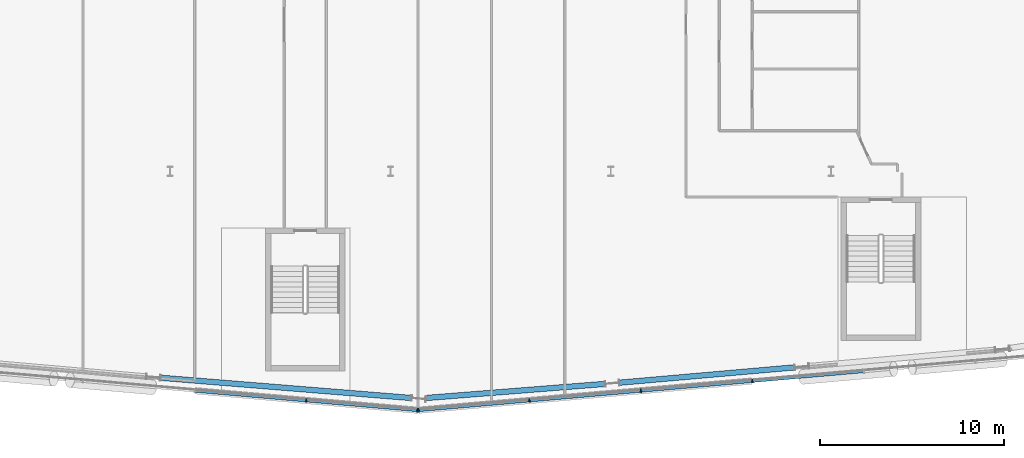
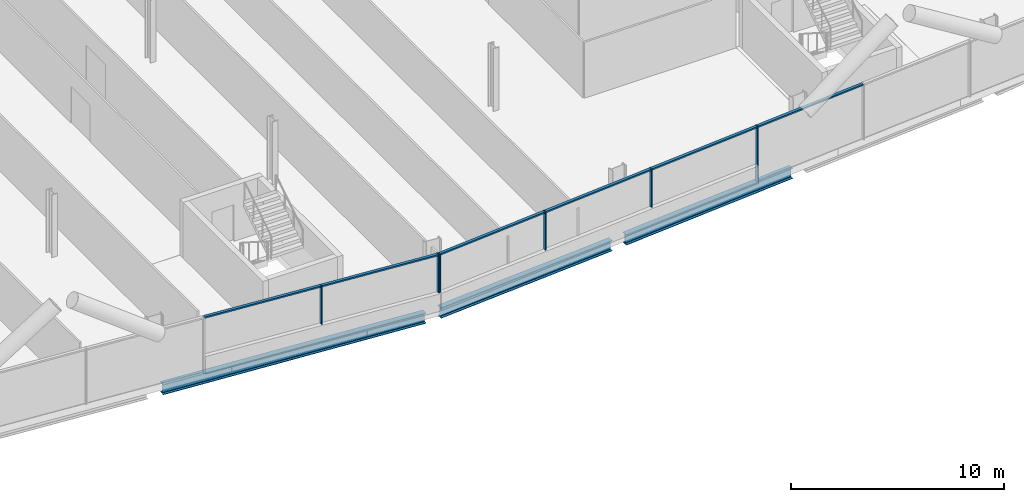
# One storey, part 7 of 25: 12 members, 3 beams, 2 elements without a shape of their own.
"""IFC4 building model written with IfcOpenShell, lengths in metres."""

from ifc_helpers import new_model, si_unit, direction, frame, origin, origin_2d, place, context, subcontext, project, spatial, rectangle, i_section, extrude, material, material_profile, profile_set, type_object, element, aggregate, save


model = new_model("IFC4")

# Units and contexts
model_context = context("Model", 3, precision=1e-05, world=origin(), true_north=direction((0.0, 1.0)))
body_context = subcontext(model_context, "Body", "Model", "MODEL_VIEW")
ifc_project = project(units=[si_unit("LENGTHUNIT", "METRE"), si_unit("AREAUNIT", "SQUARE_METRE"), si_unit("VOLUMEUNIT", "CUBIC_METRE"), si_unit("PLANEANGLEUNIT", "RADIAN"), si_unit("MASSUNIT", "GRAM", prefix="KILO")], contexts=[model_context])

# Site, building, storey
site_placement = place(None, origin())
site = spatial("IfcSite", under=ifc_project, at=site_placement, CompositionType="ELEMENT")
building_placement = place(site_placement, origin())
building = spatial("IfcBuilding", under=site, at=building_placement, Name="Wharfspan Tower", CompositionType="ELEMENT")
storey_placement = place(building_placement, frame((0.0, 0.0, 121.899902)))
storey = spatial("IfcBuildingStorey", under=building, at=storey_placement, Name="L28", CompositionType="ELEMENT", Elevation=121.899902)

# Beams
ifc_material_1 = material(Name="Steel S355J2", Category="steel")
ifc_material_profile_1 = material_profile(ifc_material_1, i_section(OverallWidth=0.300049, OverallDepth=0.600098, WebThickness=0.015381, FlangeThickness=0.030029, FilletRadius=0.0271, at=origin_2d()))
ifc_profile_set_1 = profile_set([ifc_material_profile_1], Name="Steel S355J2")
beam_type = type_object("IfcBeamType", Name="Edge beam HEB 600", PredefinedType="SPANDREL", material=ifc_profile_set_1)
beam_1_placement = place(storey_placement, frame((35.490967, 0.252197, -0.699951), z_axis=(0.996756, -0.080488, 0.0), x_axis=(0.080488, 0.996756, 0.0)))
element("IfcBeam", 1, at=beam_1_placement, inside=storey, type_object=beam_type, Name="Edge beam S1 L28 PS1.3 to PS1.4", PredefinedType="SPANDREL", context=body_context, shape_type="SweptSolid", body=[
    extrude(i_section(OverallWidth=0.300049, OverallDepth=0.600098, WebThickness=0.015381, FlangeThickness=0.030029, FilletRadius=0.0271, at=origin_2d()), origin(), (0.0, 0.0, 1.0), 13.683105),
])
beam_2_placement = place(storey_placement, frame((49.938721, -0.849365, -0.699951), z_axis=(0.996913, 0.078508, 0.0), x_axis=(-0.078508, 0.996913, 0.0)))
element("IfcBeam", 2, at=beam_2_placement, inside=storey, type_object=beam_type, Name="Edge beam S2 L28 PS1.4 to PS2.1", PredefinedType="SPANDREL", context=body_context, shape_type="SweptSolid", body=[
    extrude(i_section(OverallWidth=0.300049, OverallDepth=0.600098, WebThickness=0.015381, FlangeThickness=0.030029, FilletRadius=0.0271, at=origin_2d()), origin(), (0.0, 0.0, 1.0), 9.767578),
])
beam_3_placement = place(storey_placement, frame((60.479492, -0.015625, -0.699951), z_axis=(0.996194, 0.087164, 0.0), x_axis=(-0.087164, 0.996194, 0.0)))
element("IfcBeam", 3, at=beam_3_placement, inside=storey, type_object=beam_type, Name="Edge beam S2 L28 PS2.1 to PS2.2", PredefinedType="SPANDREL", context=body_context, shape_type="SweptSolid", body=[
    extrude(i_section(OverallWidth=0.300049, OverallDepth=0.600098, WebThickness=0.015381, FlangeThickness=0.030029, FilletRadius=0.0271, at=origin_2d()), origin(), (0.0, 0.0, 1.0), 9.55957),
])

# Curtain wall, members
ifc_material_2 = material(Name="Aluminium 6063-T6", Category="aluminium")
curtain_wall_type = type_object("IfcCurtainWallType", Name="CURTAIN WALL FACETED FRONT", PredefinedType="NOTDEFINED", material=ifc_material_2)
curtain_wall_1_placement = place(storey_placement, origin())
curtain_wall_1 = element("IfcCurtainWall", 4, at=curtain_wall_1_placement, inside=storey, type_object=curtain_wall_type, Name="Curtain wall S1", PredefinedType="NOTDEFINED")
ifc_material_profile_2 = material_profile(ifc_material_2, rectangle(XDim=0.199951, YDim=0.060059, at=origin_2d()))
ifc_profile_set_2 = profile_set([ifc_material_profile_2], Name="Aluminium 6063-T6")
member_type_1 = type_object("IfcMemberType", Name="MULLION FACETED FRONT 60x200", PredefinedType="MULLION", material=ifc_profile_set_2)
member_1_placement = place(storey_placement, frame((43.416748, -0.986084, 1.0), z_axis=(0.0, 0.0, 1.0), x_axis=(0.087156, 0.996198, 0.0)))
member_1 = element("IfcMember", 5, at=member_1_placement, type_object=member_type_1, Name="Curtain wall S1 mullion 6", PredefinedType="MULLION", context=body_context, shape_type="SweptSolid", body=[
    extrude(rectangle(XDim=0.199951, YDim=0.060059, at=origin_2d()), origin(), (0.0, 0.0, 1.0), 2.200195),
])
member_2_placement = place(storey_placement, frame((49.470215, -1.515625, 1.0), z_axis=(0.0, 0.0, 1.0), x_axis=(0.087156, 0.996198, 0.0)))
member_2 = element("IfcMember", 6, at=member_2_placement, type_object=member_type_1, Name="Curtain wall S1 mullion 7", PredefinedType="MULLION", context=body_context, shape_type="SweptSolid", body=[
    extrude(rectangle(XDim=0.199951, YDim=0.060059, at=origin_2d()), origin(), (0.0, 0.0, 1.0), 2.200195),
])

curtain_wall_2_placement = place(storey_placement, origin())
curtain_wall_2 = element("IfcCurtainWall", 7, at=curtain_wall_2_placement, inside=storey, type_object=curtain_wall_type, Name="Curtain wall S2", PredefinedType="NOTDEFINED")
member_3_placement = place(storey_placement, frame((49.529785, -1.515625, 1.0), z_axis=(0.0, 0.0, 1.0), x_axis=(-0.087156, 0.996198, 0.0)))
member_3 = element("IfcMember", 8, at=member_3_placement, type_object=member_type_1, Name="Curtain wall S2 mullion 1", PredefinedType="MULLION", context=body_context, shape_type="SweptSolid", body=[
    extrude(rectangle(XDim=0.199951, YDim=0.060059, at=origin_2d()), origin(), (0.0, 0.0, 1.0), 2.200195),
])
member_4_placement = place(storey_placement, frame((55.571533, -0.987061, 1.0), z_axis=(0.0, 0.0, 1.0), x_axis=(-0.087156, 0.996198, 0.0)))
member_4 = element("IfcMember", 9, at=member_4_placement, type_object=member_type_1, Name="Curtain wall S2 mullion 2", PredefinedType="MULLION", context=body_context, shape_type="SweptSolid", body=[
    extrude(rectangle(XDim=0.199951, YDim=0.060059, at=origin_2d()), origin(), (0.0, 0.0, 1.0), 2.200195),
])
member_5_placement = place(storey_placement, frame((61.642822, -0.455811, 1.0), z_axis=(0.0, 0.0, 1.0), x_axis=(-0.087156, 0.996198, 0.0)))
member_5 = element("IfcMember", 10, at=member_5_placement, type_object=member_type_1, Name="Curtain wall S2 mullion 3", PredefinedType="MULLION", context=body_context, shape_type="SweptSolid", body=[
    extrude(rectangle(XDim=0.199951, YDim=0.060059, at=origin_2d()), origin(), (0.0, 0.0, 1.0), 2.200195),
])
member_6_placement = place(storey_placement, frame((67.714355, 0.075195, 0.0), z_axis=(0.0, 0.0, 1.0), x_axis=(-0.087156, 0.996198, 0.0)))
member_6 = element("IfcMember", 11, at=member_6_placement, type_object=member_type_1, Name="Curtain wall S2 mullion 4", PredefinedType="MULLION", context=body_context, shape_type="SweptSolid", body=[
    extrude(rectangle(XDim=0.199951, YDim=0.060059, at=origin_2d()), origin(), (0.0, 0.0, 1.0), 3.200195),
])

# Member
ifc_material_profile_3 = material_profile(ifc_material_2, rectangle(XDim=0.159912, YDim=0.080078, at=origin_2d()))
ifc_profile_set_3 = profile_set([ifc_material_profile_3], Name="Aluminium 6063-T6")
member_type_2 = type_object("IfcMemberType", Name="TRANSOM FACETED FRONT 80x160", PredefinedType="USERDEFINED", material=ifc_profile_set_3)
member_7_placement = place(storey_placement, frame((37.363281, -0.456543, 3.160156), z_axis=(0.996197, -0.087135, 0.0), x_axis=(0.087135, 0.996197, 0.0)))
member_7 = element("IfcMember", 12, at=member_7_placement, type_object=member_type_2, Name="Curtain wall S1 transom 5", ObjectType="TRANSOM", PredefinedType="USERDEFINED", context=body_context, shape_type="SweptSolid", body=[
    extrude(rectangle(XDim=0.159912, YDim=0.080078, at=origin_2d()), origin(), (0.0, 0.0, 1.0), 6.046387),
])

member_8_placement = place(storey_placement, frame((43.446533, -0.98877, 3.160156), z_axis=(0.996198, -0.087122, 0.0), x_axis=(0.087122, 0.996198, 0.0)))
member_8 = element("IfcMember", 13, at=member_8_placement, type_object=member_type_2, Name="Curtain wall S1 transom 6", ObjectType="TRANSOM", PredefinedType="USERDEFINED", context=body_context, shape_type="SweptSolid", body=[
    extrude(rectangle(XDim=0.159912, YDim=0.080078, at=origin_2d()), origin(), (0.0, 0.0, 1.0), 6.016602),
])

aggregate(curtain_wall_1, [member_1, member_2, member_7, member_8])

member_9_placement = place(storey_placement, frame((49.559814, -1.512939, 3.160156), z_axis=(0.996197, 0.087133, 0.0), x_axis=(-0.087133, 0.996197, 0.0)))
member_9 = element("IfcMember", 14, at=member_9_placement, type_object=member_type_2, Name="Curtain wall S2 transom 1", ObjectType="TRANSOM", PredefinedType="USERDEFINED", context=body_context, shape_type="SweptSolid", body=[
    extrude(rectangle(XDim=0.159912, YDim=0.080078, at=origin_2d()), origin(), (0.0, 0.0, 1.0), 6.004639),
])

member_10_placement = place(storey_placement, frame((55.601318, -0.984375, 3.160156), z_axis=(0.996196, 0.087143, 0.0), x_axis=(-0.087143, 0.996196, 0.0)))
member_10 = element("IfcMember", 15, at=member_10_placement, type_object=member_type_2, Name="Curtain wall S2 transom 2", ObjectType="TRANSOM", PredefinedType="USERDEFINED", context=body_context, shape_type="SweptSolid", body=[
    extrude(rectangle(XDim=0.159912, YDim=0.080078, at=origin_2d()), origin(), (0.0, 0.0, 1.0), 6.034668),
])

member_11_placement = place(storey_placement, frame((61.672852, -0.453369, 3.160156), z_axis=(0.996192, 0.087187, 0.0), x_axis=(-0.087187, 0.996192, 0.0)))
member_11 = element("IfcMember", 16, at=member_11_placement, type_object=member_type_2, Name="Curtain wall S2 transom 3", ObjectType="TRANSOM", PredefinedType="USERDEFINED", context=body_context, shape_type="SweptSolid", body=[
    extrude(rectangle(XDim=0.159912, YDim=0.080078, at=origin_2d()), origin(), (0.0, 0.0, 1.0), 6.034424),
])

member_12_placement = place(storey_placement, frame((67.744141, 0.077881, 3.160156), z_axis=(0.996196, 0.087143, 0.0), x_axis=(-0.087143, 0.996196, 0.0)))
member_12 = element("IfcMember", 17, at=member_12_placement, type_object=member_type_2, Name="Curtain wall S2 transom 4", ObjectType="TRANSOM", PredefinedType="USERDEFINED", context=body_context, shape_type="SweptSolid", body=[
    extrude(rectangle(XDim=0.159912, YDim=0.080078, at=origin_2d()), origin(), (0.0, 0.0, 1.0), 6.034668),
])

aggregate(curtain_wall_2, [member_3, member_4, member_5, member_6, member_9, member_10, member_11, member_12])

save(model, "model.ifc")
